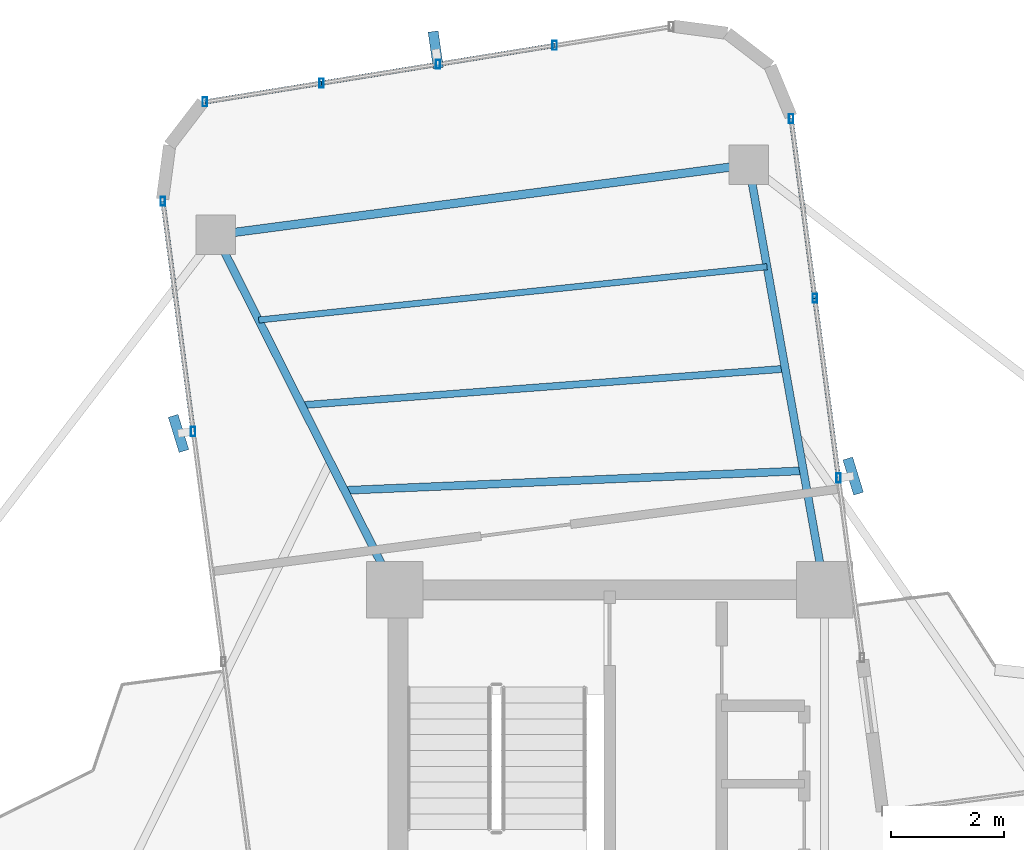
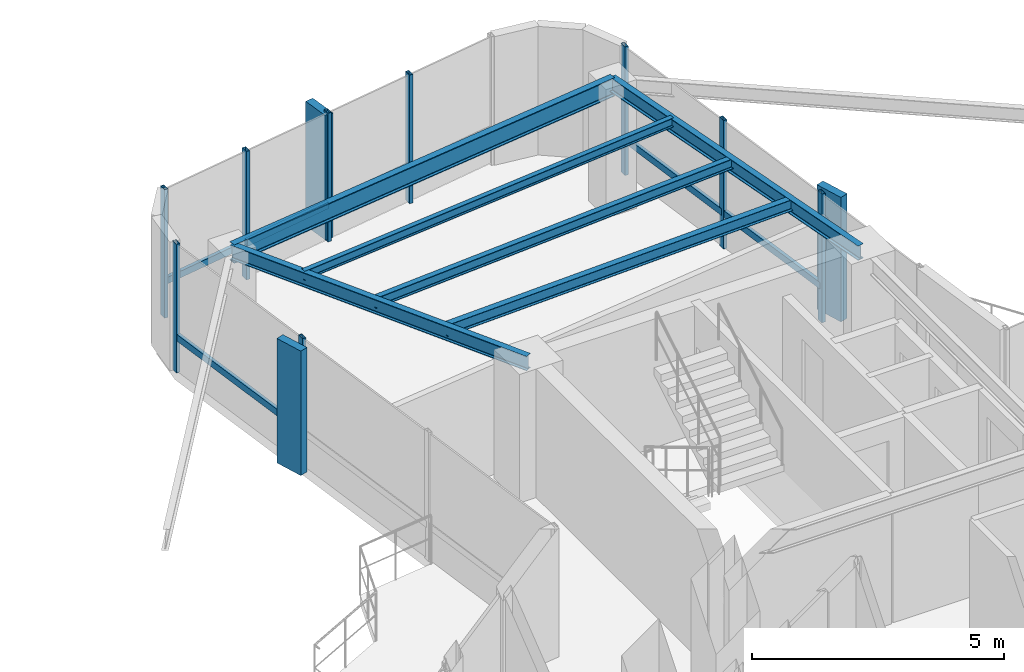
# One storey, part 14 of 22: 18 members, 6 beams, 3 elements without a shape of their own.
"""IFC4 building model written with IfcOpenShell, lengths in metres."""

from ifc_helpers import new_model, si_unit, direction, frame, origin, origin_2d, place, context, subcontext, project, spatial, rectangle, hollow_rectangle, i_section, extrude, source, transform, mapped, material, material_profile, profile_set, type_object, element, aggregate, save


model = new_model("IFC4")

# Units and contexts
model_context = context("Model", 3, precision=1e-05, world=origin(), true_north=direction((0.0, 1.0)))
body_context = subcontext(model_context, "Body", "Model", "MODEL_VIEW")
ifc_project = project(units=[si_unit("LENGTHUNIT", "METRE"), si_unit("AREAUNIT", "SQUARE_METRE"), si_unit("VOLUMEUNIT", "CUBIC_METRE"), si_unit("PLANEANGLEUNIT", "RADIAN"), si_unit("MASSUNIT", "GRAM", prefix="KILO")], contexts=[model_context])

# Site, building, storey
site_placement = place(None, origin())
site = spatial("IfcSite", under=ifc_project, at=site_placement, CompositionType="ELEMENT")
building_placement = place(site_placement, origin())
building = spatial("IfcBuilding", under=site, at=building_placement, Name="Sahyath Konkavel Grand Hotel", CompositionType="ELEMENT")
storey_placement = place(building_placement, frame((0.0, 0.0, 269.10009765625)))
storey = spatial("IfcBuildingStorey", under=building, at=storey_placement, Name="L75", CompositionType="ELEMENT", Elevation=269.10009765625)

# Beams
ifc_material_1 = material(Name="Steel E350", Category="steel")
ifc_material_profile_1 = material_profile(ifc_material_1, i_section(OverallWidth=0.139892578125, OverallDepth=0.35009765625, WebThickness=0.008056640625, FlangeThickness=0.01416015625, FilletRadius=0.013916015625, at=origin_2d()), Name="ISMB 350")
ifc_profile_set_1 = profile_set([ifc_material_profile_1], Name="Steel E350")
beam_type_1 = type_object("IfcBeamType", Name="BM-ISMB350", PredefinedType="BEAM", material=ifc_profile_set_1)
shared_shape_1 = source(origin(), body_context, "Body", "SweptSolid", [
    extrude(i_section(OverallWidth=0.139892578125, OverallDepth=0.35009765625, WebThickness=0.008056640625, FlangeThickness=0.01416015625, FilletRadius=0.013916015625, at=origin_2d()), origin(), (0.0, 0.0, 1.0), 7.631103515625),
])
beam_1_placement = place(storey_placement, frame((3.800048828125, 10.199951171875, 2.934814453125), z_axis=(-0.175734167088, 0.984437658015, 0.0), x_axis=(-0.984437658015, -0.175734167088, 0.0)))
element("IfcBeam", 1, at=beam_1_placement, inside=storey, type_object=beam_type_1, Name="L75 Cruciform Radial Girder NA", PredefinedType="BEAM", context=body_context, shape_type="MappedRepresentation", body=[
    mapped(shared_shape_1, transform((0.0, 0.0, 0.0), scale=1.0)),
])
shared_shape_2 = source(origin(), body_context, "Body", "SweptSolid", [
    extrude(i_section(OverallWidth=0.139892578125, OverallDepth=0.35009765625, WebThickness=0.008056640625, FlangeThickness=0.01416015625, FilletRadius=0.013916015625, at=origin_2d()), origin(), (0.0, 0.0, 1.0), 7.0234375),
])
beam_2_placement = place(storey_placement, frame((-3.800048828125, 10.199951171875, 2.934814453125), z_axis=(-0.449881274382, 0.893088371305, 0.0), x_axis=(-0.893088371305, -0.449881274382, 0.0)))
element("IfcBeam", 2, at=beam_2_placement, inside=storey, type_object=beam_type_1, Name="L75 Cruciform Radial Girder NB", PredefinedType="BEAM", context=body_context, shape_type="MappedRepresentation", body=[
    mapped(shared_shape_2, transform((0.0, 0.0, 0.0), scale=1.0)),
])
ifc_material_profile_2 = material_profile(ifc_material_1, i_section(OverallWidth=0.14990234375, OverallDepth=0.449951171875, WebThickness=0.009521484375, FlangeThickness=0.017333984375, FilletRadius=0.014892578125, at=origin_2d()), Name="ISMB 450")
ifc_profile_set_2 = profile_set([ifc_material_profile_2], Name="Steel E350")
beam_type_2 = type_object("IfcBeamType", Name="BM-ISMB450", PredefinedType="BEAM", material=ifc_profile_set_2)
shared_shape_3 = source(origin(), body_context, "Body", "SweptSolid", [
    extrude(i_section(OverallWidth=0.14990234375, OverallDepth=0.449951171875, WebThickness=0.009521484375, FlangeThickness=0.017333984375, FilletRadius=0.014892578125, at=origin_2d()), origin(), (0.0, 0.0, 1.0), 9.5),
])
beam_3_placement = place(storey_placement, frame((2.458984375, 17.71240234375, 2.885009765625), z_axis=(-0.991444933556, -0.130525643939, 0.0), x_axis=(0.130525643939, -0.991444933556, 0.0)))
element("IfcBeam", 3, at=beam_3_placement, inside=storey, type_object=beam_type_2, Name="L75 Wing Tip Edge Beam N", PredefinedType="BEAM", context=body_context, shape_type="MappedRepresentation", body=[
    mapped(shared_shape_3, transform((0.0, 0.0, 0.0), scale=1.0)),
])
ifc_material_profile_3 = material_profile(ifc_material_1, i_section(OverallWidth=0.139892578125, OverallDepth=0.27490234375, WebThickness=0.00634765625, FlangeThickness=0.0087890625, FilletRadius=0.012939453125, at=origin_2d()), Name="ISLB 275")
ifc_profile_set_3 = profile_set([ifc_material_profile_3], Name="Steel E350")
beam_type_3 = type_object("IfcBeamType", Name="BM-ISLB275", PredefinedType="BEAM", material=ifc_profile_set_3)
shared_shape_4 = source(origin(), body_context, "Body", "SweptSolid", [
    extrude(i_section(OverallWidth=0.139892578125, OverallDepth=0.27490234375, WebThickness=0.00634765625, FlangeThickness=0.0087890625, FilletRadius=0.012939453125, at=origin_2d()), origin(), (0.0, 0.0, 1.0), 8.11669921875),
])
beam_4_placement = place(storey_placement, frame((3.424560546875, 12.303466796875, 2.972412109375), z_axis=(-0.999084879956, -0.042771516718, 0.0), x_axis=(0.042771516718, -0.999084879956, 0.0)))
element("IfcBeam", 4, at=beam_4_placement, inside=storey, type_object=beam_type_3, Name="L75 Secondary Floor Beam N-1", PredefinedType="BEAM", context=body_context, shape_type="MappedRepresentation", body=[
    mapped(shared_shape_4, transform((0.0, 0.0, 0.0), scale=1.0)),
])
ifc_material_profile_4 = material_profile(ifc_material_1, i_section(OverallWidth=0.125, OverallDepth=0.25, WebThickness=0.0068359375, FlangeThickness=0.012451171875, FilletRadius=0.012939453125, at=origin_2d()), Name="ISMB 250")
ifc_profile_set_4 = profile_set([ifc_material_profile_4], Name="Steel E350")
beam_type_4 = type_object("IfcBeamType", Name="BM-ISMB250", PredefinedType="BEAM", material=ifc_profile_set_4)
shared_shape_5 = source(origin(), body_context, "Body", "SweptSolid", [
    extrude(i_section(OverallWidth=0.125, OverallDepth=0.25, WebThickness=0.0068359375, FlangeThickness=0.012451171875, FilletRadius=0.012939453125, at=origin_2d()), origin(), (0.0, 0.0, 1.0), 8.570068359375),
])
beam_5_placement = place(storey_placement, frame((3.102783203125, 14.1064453125, 2.98486328125), z_axis=(-0.997165854664, -0.075234688098, 0.0), x_axis=(0.075234688098, -0.997165854664, 0.0)))
element("IfcBeam", 5, at=beam_5_placement, inside=storey, type_object=beam_type_4, Name="L75 Secondary Floor Beam N-2", PredefinedType="BEAM", context=body_context, shape_type="MappedRepresentation", body=[
    mapped(shared_shape_5, transform((0.0, 0.0, 0.0), scale=1.0)),
])
ifc_material_profile_5 = material_profile(ifc_material_1, i_section(OverallWidth=0.110107421875, OverallDepth=0.22509765625, WebThickness=0.006591796875, FlangeThickness=0.01171875, FilletRadius=0.011962890625, at=origin_2d()), Name="ISMB 225")
ifc_profile_set_5 = profile_set([ifc_material_profile_5], Name="Steel E350")
beam_type_5 = type_object("IfcBeamType", Name="BM-ISMB225", PredefinedType="BEAM", material=ifc_profile_set_5)
shared_shape_6 = source(origin(), body_context, "Body", "SweptSolid", [
    extrude(i_section(OverallWidth=0.110107421875, OverallDepth=0.22509765625, WebThickness=0.006591796875, FlangeThickness=0.01171875, FilletRadius=0.011962890625, at=origin_2d()), origin(), (0.0, 0.0, 1.0), 9.03173828125),
])
beam_6_placement = place(storey_placement, frame((2.781005859375, 15.909423828125, 2.997314453125), z_axis=(-0.99454153435, -0.104341441688, 0.0), x_axis=(0.104341441688, -0.99454153435, 0.0)))
element("IfcBeam", 6, at=beam_6_placement, inside=storey, type_object=beam_type_5, Name="L75 Secondary Floor Beam N-3", PredefinedType="BEAM", context=body_context, shape_type="MappedRepresentation", body=[
    mapped(shared_shape_6, transform((0.0, 0.0, 0.0), scale=1.0)),
])

# Curtain wall, members
ifc_material_2 = material(Name="Anodised Bronze Aluminium & Low-E Glazing", Category="aluminium")
curtain_wall_type = type_object("IfcCurtainWallType", Name="CW-ZONE4", PredefinedType="NOTDEFINED", material=ifc_material_2)
curtain_wall_1_placement = place(storey_placement, origin())
curtain_wall_1 = element("IfcCurtainWall", 7, at=curtain_wall_1_placement, inside=storey, type_object=curtain_wall_type, Name="L75 Unitised Curtain Wall F8", PredefinedType="NOTDEFINED")
ifc_material_3 = material(Name="Anodised Bronze Aluminium", Category="aluminium")
ifc_material_profile_6 = material_profile(ifc_material_3, hollow_rectangle(XDim=0.080078125, YDim=0.159912109375, WallThickness=0.006103515625, at=origin_2d()), Name="RHS 160x80x6")
ifc_profile_set_6 = profile_set([ifc_material_profile_6], Name="Anodised Bronze Aluminium")
member_type_1 = type_object("IfcMemberType", Name="CW-MUL-160", PredefinedType="MULLION", material=ifc_profile_set_6)
shared_shape_7 = source(origin(), body_context, "Body", "SweptSolid", [
    extrude(hollow_rectangle(XDim=0.080078125, YDim=0.159912109375, WallThickness=0.006103515625, at=origin_2d()), origin(), (0.0, 0.0, 1.0), 3.10986328125),
])
member_1_placement = place(storey_placement, frame((4.04541015625, 12.175537109375, 0.0), z_axis=(0.0, 0.0, 1.0), x_axis=(1.0, 0.0, 0.0)))
member_1 = element("IfcMember", 8, at=member_1_placement, type_object=member_type_1, Name="L75 Curtain Wall Mullion F8-1", PredefinedType="MULLION", context=body_context, shape_type="MappedRepresentation", body=[
    mapped(shared_shape_7, transform((0.0, 0.0, 0.0), scale=1.0)),
])
member_2_placement = place(storey_placement, frame((3.627197265625, 15.351318359375, 0.0), z_axis=(0.0, 0.0, 1.0), x_axis=(1.0, 0.0, 0.0)))
member_2 = element("IfcMember", 9, at=member_2_placement, type_object=member_type_1, Name="L75 Curtain Wall Mullion F8-2", PredefinedType="MULLION", context=body_context, shape_type="MappedRepresentation", body=[
    mapped(shared_shape_7, transform((0.0, 0.0, 0.0), scale=1.0)),
])
member_3_placement = place(storey_placement, frame((3.208984375, 18.52734375, 0.0), z_axis=(0.0, 0.0, 1.0), x_axis=(1.0, 0.0, 0.0)))
member_3 = element("IfcMember", 10, at=member_3_placement, type_object=member_type_1, Name="L75 Curtain Wall Mullion F8-3", PredefinedType="MULLION", context=body_context, shape_type="MappedRepresentation", body=[
    mapped(shared_shape_7, transform((0.0, 0.0, 0.0), scale=1.0)),
])

curtain_wall_2_placement = place(storey_placement, origin())
curtain_wall_2 = element("IfcCurtainWall", 11, at=curtain_wall_2_placement, inside=storey, type_object=curtain_wall_type, Name="L75 Unitised Curtain Wall F12", PredefinedType="NOTDEFINED")
member_4_placement = place(storey_placement, frame((-0.9716796875, 19.8203125, 0.0), z_axis=(0.0, 0.0, 1.0), x_axis=(1.0, 0.0, 0.0)))
member_4 = element("IfcMember", 12, at=member_4_placement, type_object=member_type_1, Name="L75 Curtain Wall Mullion F12-1", PredefinedType="MULLION", context=body_context, shape_type="MappedRepresentation", body=[
    mapped(shared_shape_7, transform((0.0, 0.0, 0.0), scale=1.0)),
])
member_5_placement = place(storey_placement, frame((-3.031982421875, 19.487060546875, 0.0), z_axis=(0.0, 0.0, 1.0), x_axis=(1.0, 0.0, 0.0)))
member_5 = element("IfcMember", 13, at=member_5_placement, type_object=member_type_1, Name="L75 Curtain Wall Mullion F12-2", PredefinedType="MULLION", context=body_context, shape_type="MappedRepresentation", body=[
    mapped(shared_shape_7, transform((0.0, 0.0, 0.0), scale=1.0)),
])
member_6_placement = place(storey_placement, frame((-5.09228515625, 19.15380859375, 0.0), z_axis=(0.0, 0.0, 1.0), x_axis=(1.0, 0.0, 0.0)))
member_6 = element("IfcMember", 14, at=member_6_placement, type_object=member_type_1, Name="L75 Curtain Wall Mullion F12-3", PredefinedType="MULLION", context=body_context, shape_type="MappedRepresentation", body=[
    mapped(shared_shape_7, transform((0.0, 0.0, 0.0), scale=1.0)),
])
member_7_placement = place(storey_placement, frame((-7.15283203125, 18.82080078125, 0.0), z_axis=(0.0, 0.0, 1.0), x_axis=(1.0, 0.0, 0.0)))
member_7 = element("IfcMember", 15, at=member_7_placement, type_object=member_type_1, Name="L75 Curtain Wall Mullion F12-4", PredefinedType="MULLION", context=body_context, shape_type="MappedRepresentation", body=[
    mapped(shared_shape_7, transform((0.0, 0.0, 0.0), scale=1.0)),
])

curtain_wall_3_placement = place(storey_placement, origin())
curtain_wall_3 = element("IfcCurtainWall", 16, at=curtain_wall_3_placement, inside=storey, type_object=curtain_wall_type, Name="L75 Unitised Curtain Wall F15", PredefinedType="NOTDEFINED")
member_8_placement = place(storey_placement, frame((-7.89501953125, 17.0654296875, 0.0), z_axis=(0.0, 0.0, 1.0), x_axis=(1.0, 0.0, 0.0)))
member_8 = element("IfcMember", 17, at=member_8_placement, type_object=member_type_1, Name="L75 Curtain Wall Mullion F15-0", PredefinedType="MULLION", context=body_context, shape_type="MappedRepresentation", body=[
    mapped(shared_shape_7, transform((0.0, 0.0, 0.0), scale=1.0)),
])
member_9_placement = place(storey_placement, frame((-7.359619140625, 12.997314453125, 0.0), z_axis=(0.0, 0.0, 1.0), x_axis=(1.0, 0.0, 0.0)))
member_9 = element("IfcMember", 18, at=member_9_placement, type_object=member_type_1, Name="L75 Curtain Wall Mullion F15-1", PredefinedType="MULLION", context=body_context, shape_type="MappedRepresentation", body=[
    mapped(shared_shape_7, transform((0.0, 0.0, 0.0), scale=1.0)),
])

# Member
ifc_material_4 = material(Name="Warm Buff Sandstone Cladding on Concrete C50/60", Category="masonry")
ifc_material_profile_7 = material_profile(ifc_material_4, rectangle(XDim=0.179931640625, YDim=0.64990234375, at=origin_2d()), Name="FIN 180x650")
ifc_profile_set_7 = profile_set([ifc_material_profile_7], Name="Warm Buff Sandstone Cladding on Concrete C50/60")
member_type_2 = type_object("IfcMemberType", Name="FIN-SANDSTONE-650", PredefinedType="MULLION", material=ifc_profile_set_7)
shared_shape_8 = source(origin(), body_context, "Body", "SweptSolid", [
    extrude(rectangle(XDim=0.179931640625, YDim=0.64990234375, at=origin_2d()), origin(), (0.0, 0.0, 1.0), 3.010009765625),
])
member_10_placement = place(storey_placement, frame((4.30322265625, 12.20947265625, 0.0498046875), z_axis=(0.0, 0.0, 1.0), x_axis=(0.955690317134, 0.294373942013, 0.0)))
member_10 = element("IfcMember", 19, at=member_10_placement, type_object=member_type_2, Name="L75 Sandstone Vertical Solar Fin FIN F8-1", PredefinedType="MULLION", context=body_context, shape_type="MappedRepresentation", body=[
    mapped(shared_shape_8, transform((0.0, 0.0, 0.0), scale=1.0)),
])

member_11_placement = place(storey_placement, frame((-3.073486328125, 19.74365234375, 0.0498046875), z_axis=(0.0, 0.0, 1.0), x_axis=(0.989850775563, 0.142110668555, 0.0)))
member_11 = element("IfcMember", 20, at=member_11_placement, type_object=member_type_2, Name="L75 Sandstone Vertical Solar Fin FIN F12-2", PredefinedType="MULLION", context=body_context, shape_type="MappedRepresentation", body=[
    mapped(shared_shape_8, transform((0.0, 0.0, 0.0), scale=1.0)),
])

member_12_placement = place(storey_placement, frame((-7.6171875, 12.96337890625, 0.0498046875), z_axis=(0.0, 0.0, 1.0), x_axis=(0.955690317134, 0.294373942013, 0.0)))
member_12 = element("IfcMember", 21, at=member_12_placement, type_object=member_type_2, Name="L75 Sandstone Vertical Solar Fin FIN F15-1", PredefinedType="MULLION", context=body_context, shape_type="MappedRepresentation", body=[
    mapped(shared_shape_8, transform((0.0, 0.0, 0.0), scale=1.0)),
])

ifc_material_profile_8 = material_profile(ifc_material_3, hollow_rectangle(XDim=0.080078125, YDim=0.159912109375, WallThickness=0.006103515625, at=origin_2d()), Name="RHS 160x80x6")
ifc_profile_set_8 = profile_set([ifc_material_profile_8], Name="Anodised Bronze Aluminium")
member_type_3 = type_object("IfcMemberType", Name="CW-TRN-160", PredefinedType="USERDEFINED", material=ifc_profile_set_8)
shared_shape_9 = source(origin(), body_context, "Body", "SweptSolid", [
    extrude(hollow_rectangle(XDim=0.080078125, YDim=0.159912109375, WallThickness=0.006103515625, at=origin_2d()), origin(), (0.0, 0.0, 1.0), 3.203369140625),
])
member_13_placement = place(storey_placement, frame((3.627197265625, 15.351318359375, 0.849853515625), z_axis=(-0.130551112835, 0.991441580194, 0.0), x_axis=(-0.991441580194, -0.130551112835, 0.0)))
member_13 = element("IfcMember", 22, at=member_13_placement, type_object=member_type_3, Name="L75 Curtain Wall Transom F8-2-spandrel", ObjectType="TRANSOM", PredefinedType="USERDEFINED", context=body_context, shape_type="MappedRepresentation", body=[
    mapped(shared_shape_9, transform((0.0, 0.0, 0.0), scale=1.0)),
])

shared_shape_10 = source(origin(), body_context, "Body", "SweptSolid", [
    extrude(hollow_rectangle(XDim=0.080078125, YDim=0.159912109375, WallThickness=0.006103515625, at=origin_2d()), origin(), (0.0, 0.0, 1.0), 3.203125),
])
member_14_placement = place(storey_placement, frame((4.04541015625, 12.175537109375, 0.849853515625), z_axis=(-0.13056097798, 0.991440281121, 0.0), x_axis=(-0.991440281121, -0.13056097798, 0.0)))
member_14 = element("IfcMember", 23, at=member_14_placement, type_object=member_type_3, Name="L75 Curtain Wall Transom F8-1-spandrel", ObjectType="TRANSOM", PredefinedType="USERDEFINED", context=body_context, shape_type="MappedRepresentation", body=[
    mapped(shared_shape_10, transform((0.0, 0.0, 0.0), scale=1.0)),
])

aggregate(curtain_wall_1, [member_1, member_10, member_2, member_3, member_14, member_13])

shared_shape_11 = source(origin(), body_context, "Body", "SweptSolid", [
    extrude(hollow_rectangle(XDim=0.080078125, YDim=0.159912109375, WallThickness=0.006103515625, at=origin_2d()), origin(), (0.0, 0.0, 1.0), 2.08740234375),
])
member_15_placement = place(storey_placement, frame((-5.09228515625, 19.15380859375, 0.849853515625), z_axis=(-0.98719124923, -0.159541334591, 0.0), x_axis=(0.159541334591, -0.98719124923, 0.0)))
member_15 = element("IfcMember", 24, at=member_15_placement, type_object=member_type_3, Name="L75 Curtain Wall Transom F12-3-spandrel", ObjectType="TRANSOM", PredefinedType="USERDEFINED", context=body_context, shape_type="MappedRepresentation", body=[
    mapped(shared_shape_11, transform((0.0, 0.0, 0.0), scale=1.0)),
])

shared_shape_12 = source(origin(), body_context, "Body", "SweptSolid", [
    extrude(hollow_rectangle(XDim=0.080078125, YDim=0.159912109375, WallThickness=0.006103515625, at=origin_2d()), origin(), (0.0, 0.0, 1.0), 2.087158203125),
])
member_16_placement = place(storey_placement, frame((-0.9716796875, 19.8203125, 0.849853515625), z_axis=(-0.98716983924, -0.159673756436, 0.0), x_axis=(0.159673756436, -0.98716983924, 0.0)))
member_16 = element("IfcMember", 25, at=member_16_placement, type_object=member_type_3, Name="L75 Curtain Wall Transom F12-1-spandrel", ObjectType="TRANSOM", PredefinedType="USERDEFINED", context=body_context, shape_type="MappedRepresentation", body=[
    mapped(shared_shape_12, transform((0.0, 0.0, 0.0), scale=1.0)),
])

member_17_placement = place(storey_placement, frame((-3.031982421875, 19.487060546875, 0.849853515625), z_axis=(-0.98716983924, -0.159673756436, 0.0), x_axis=(0.159673756436, -0.98716983924, 0.0)))
member_17 = element("IfcMember", 26, at=member_17_placement, type_object=member_type_3, Name="L75 Curtain Wall Transom F12-2-spandrel", ObjectType="TRANSOM", PredefinedType="USERDEFINED", context=body_context, shape_type="MappedRepresentation", body=[
    mapped(shared_shape_12, transform((0.0, 0.0, 0.0), scale=1.0)),
])

aggregate(curtain_wall_2, [member_4, member_5, member_11, member_6, member_7, member_16, member_17, member_15])

shared_shape_13 = source(origin(), body_context, "Body", "SweptSolid", [
    extrude(hollow_rectangle(XDim=0.080078125, YDim=0.159912109375, WallThickness=0.006103515625, at=origin_2d()), origin(), (0.0, 0.0, 1.0), 4.103271484375),
])
member_18_placement = place(storey_placement, frame((-7.89501953125, 17.0654296875, 0.849853515625), z_axis=(0.130483756275, -0.991450447248, 0.0), x_axis=(0.991450447248, 0.130483756275, 0.0)))
member_18 = element("IfcMember", 27, at=member_18_placement, type_object=member_type_3, Name="L75 Curtain Wall Transom F15-0-spandrel", ObjectType="TRANSOM", PredefinedType="USERDEFINED", context=body_context, shape_type="MappedRepresentation", body=[
    mapped(shared_shape_13, transform((0.0, 0.0, 0.0), scale=1.0)),
])

aggregate(curtain_wall_3, [member_8, member_9, member_12, member_18])

save(model, "model.ifc")
